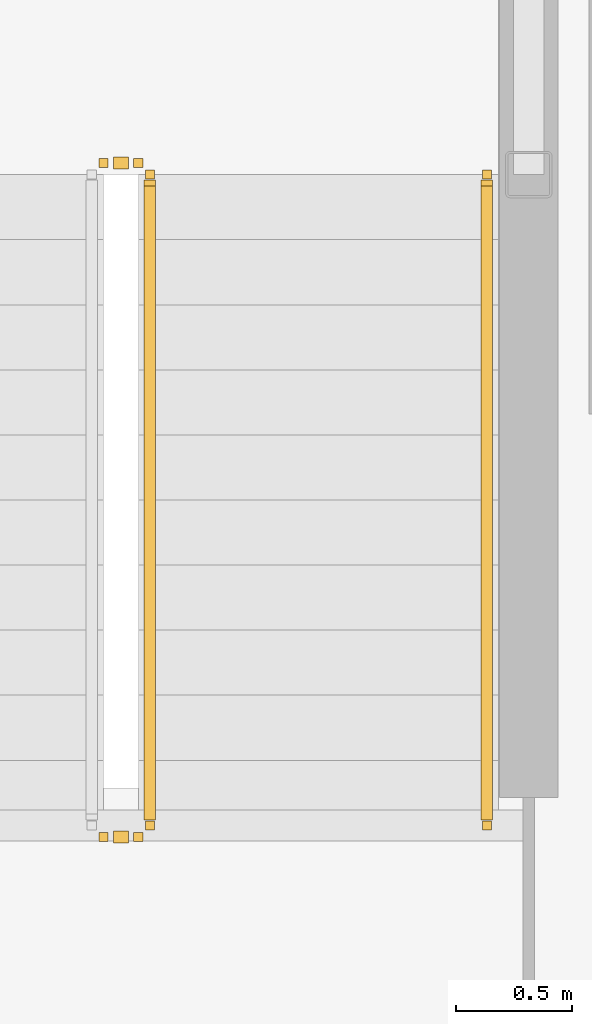
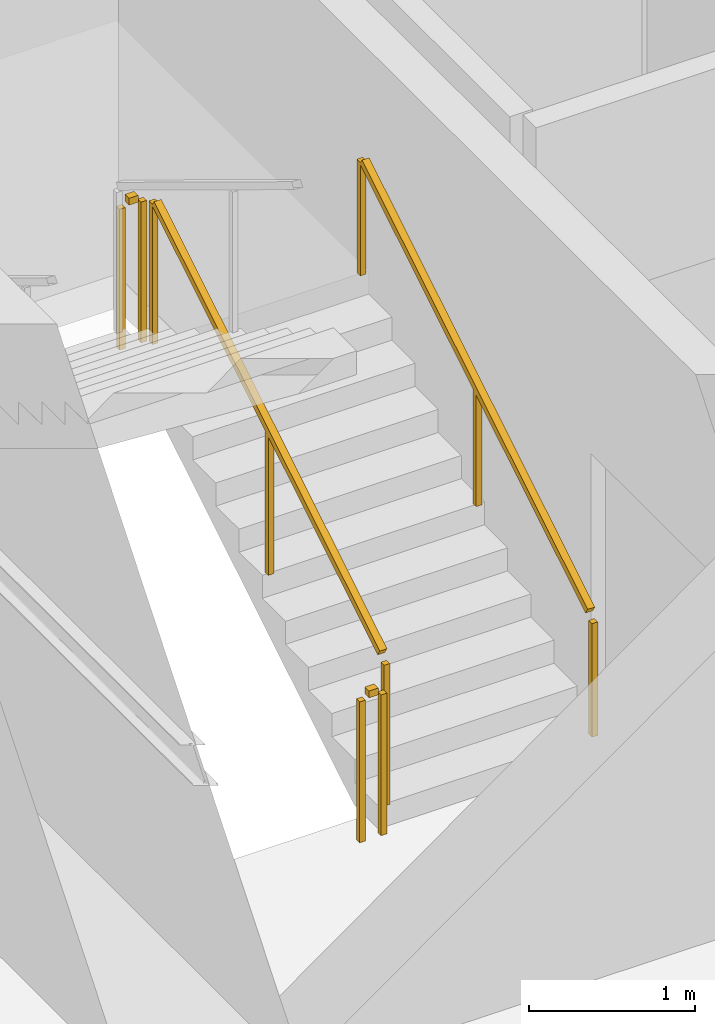
# One storey, part 26 of 31: 4 railings.
"""IFC4 building model written with IfcOpenShell, lengths in metres."""

from ifc_helpers import new_model, si_unit, direction, frame, origin, origin_2d, place, context, subcontext, project, spatial, rectangle, extrude, material, type_object, element, save


model = new_model("IFC4")

# Units and contexts
model_context = context("Model", 3, precision=1e-05, world=origin(), true_north=direction((0.0, 1.0)))
body_context = subcontext(model_context, "Body", "Model", "MODEL_VIEW")
ifc_project = project(units=[si_unit("LENGTHUNIT", "METRE"), si_unit("AREAUNIT", "SQUARE_METRE"), si_unit("VOLUMEUNIT", "CUBIC_METRE"), si_unit("PLANEANGLEUNIT", "RADIAN"), si_unit("MASSUNIT", "GRAM", prefix="KILO")], contexts=[model_context])

# Site, building, storey
site_placement = place(None, origin())
site = spatial("IfcSite", under=ifc_project, at=site_placement, CompositionType="ELEMENT")
building_placement = place(site_placement, origin())
building = spatial("IfcBuilding", under=site, at=building_placement, Name="Kazma Halo Residences", CompositionType="ELEMENT")
storey_placement = place(building_placement, frame((0.0, 0.0, 45.14990234375)))
storey = spatial("IfcBuildingStorey", under=building, at=storey_placement, Name="L10", CompositionType="ELEMENT", Elevation=45.14990234375)

# Railings
ifc_material_1 = material(Name="Painted Steel S355", Category="steel")
railing_type_1 = type_object("IfcRailingType", Name="RLG-STAIR-GRD-1100", PredefinedType="GUARDRAIL", material=ifc_material_1)
railing_1_placement = place(storey_placement, frame((39.550048828125, 39.949951171875, 0.170654296875)))
element("IfcRailing", 1, at=railing_1_placement, inside=storey, type_object=railing_type_1, Name="L10 ST-01 stair guard 1", PredefinedType="GUARDRAIL", context=body_context, shape_type="SweptSolid", body=[
    extrude(rectangle(XDim=0.050048828125, YDim=0.050048828125, at=origin_2d()), frame((0.0, 0.036376953125, 1.09716796875), z_axis=(0.0, 0.854202870247, 0.519939858505), x_axis=(-1.0, 0.0, 0.0)), (0.0, 0.0, 1.0), 3.19287109375),
    extrude(rectangle(XDim=0.0400390625, YDim=0.0400390625, at=origin_2d()), origin(), (0.0, 0.0, 1.0), 1.0380859375),
    extrude(rectangle(XDim=0.0400390625, YDim=0.0400390625, at=origin_2d()), frame((0.0, 1.39990234375, 0.85205078125)), (0.0, 0.0, 1.0), 1.0380859375),
    extrude(rectangle(XDim=0.0400390625, YDim=0.0400390625, at=origin_2d()), frame((0.0, 2.800048828125, 1.704345703125)), (0.0, 0.0, 1.0), 1.0380859375),
])
for number, where, name in (
    (2, (39.5, 42.800048828125, 1.875), "L10 ST-01 stair guard 2"),
    (3, (39.5, 39.89990234375, 0.0), "L10 ST-01 stair guard 4"),
):
    element("IfcRailing", number, at=place(storey_placement, frame(where)), inside=storey, type_object=railing_type_1, Name=name, PredefinedType="GUARDRAIL", context=body_context, shape_type="SweptSolid", body=[
        extrude(rectangle(XDim=0.050048828125, YDim=0.050048828125, at=origin_2d()), frame((-0.04248046875, 0.0, 1.0751953125), z_axis=(-1.0, 0.0, 0.0), x_axis=(0.0, -1.0, 0.0)), (0.0, 0.0, 1.0), 0.06494140625),
        extrude(rectangle(XDim=0.0400390625, YDim=0.0400390625, at=origin_2d()), origin(), (0.0, 0.0, 1.0), 1.0380859375),
        extrude(rectangle(XDim=0.0400390625, YDim=0.0400390625, at=origin_2d()), frame((-0.14990234375, 0.0, 0.0)), (0.0, 0.0, 1.0), 1.0380859375),
    ])
ifc_material_2 = material(Name="Brushed Stainless Steel", Category="steel")
railing_type_2 = type_object("IfcRailingType", Name="RLG-STAIR-HND-900", PredefinedType="HANDRAIL", material=ifc_material_2)
railing_2_placement = place(storey_placement, frame((41.0, 39.949951171875, 0.170654296875)))
element("IfcRailing", 4, at=railing_2_placement, inside=storey, type_object=railing_type_2, Name="L10 ST-01 stair handrail 1", PredefinedType="HANDRAIL", context=body_context, shape_type="SweptSolid", body=[
    extrude(rectangle(XDim=0.050048828125, YDim=0.050048828125, at=origin_2d()), frame((0.0, 0.036376953125, 0.89697265625), z_axis=(0.0, 0.854202870247, 0.519939858505), x_axis=(-1.0, 0.0, 0.0)), (0.0, 0.0, 1.0), 3.19287109375),
    extrude(rectangle(XDim=0.0400390625, YDim=0.0400390625, at=origin_2d()), origin(), (0.0, 0.0, 1.0), 0.837890625),
    extrude(rectangle(XDim=0.0400390625, YDim=0.0400390625, at=origin_2d()), frame((0.0, 1.39990234375, 0.85205078125)), (0.0, 0.0, 1.0), 0.837890625),
    extrude(rectangle(XDim=0.0400390625, YDim=0.0400390625, at=origin_2d()), frame((0.0, 2.800048828125, 1.704345703125)), (0.0, 0.0, 1.0), 0.837890625),
])

save(model, "model.ifc")
